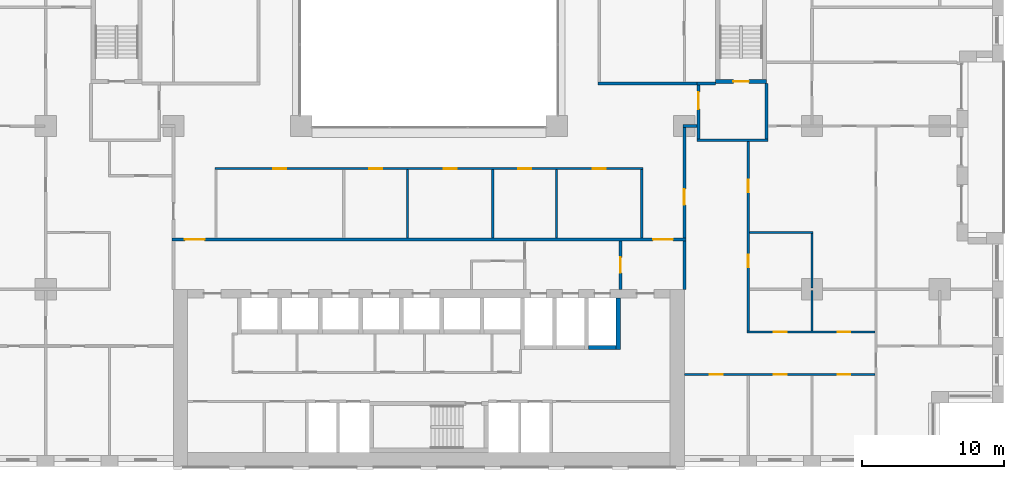
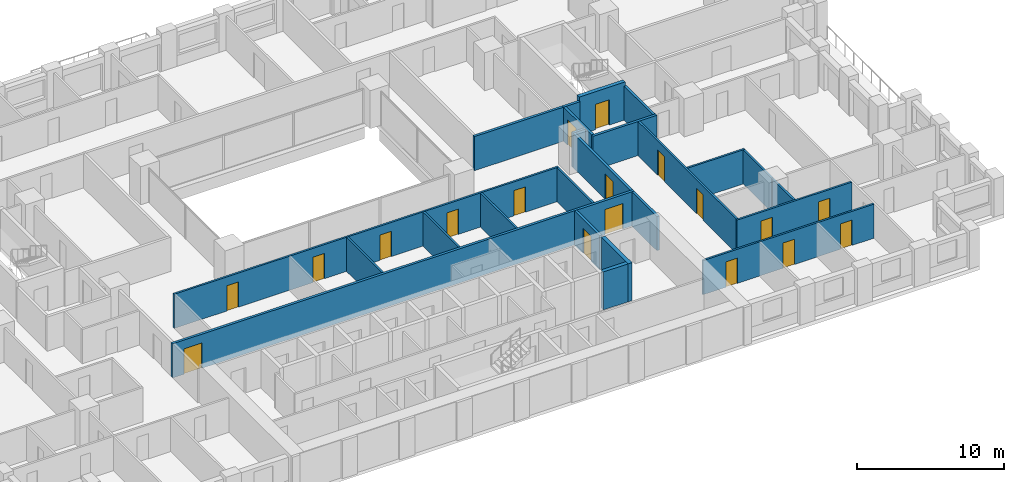
# One storey, part 12 of 21: 24 walls, 18 doors, 18 openings.
"""IFC4 building model written with IfcOpenShell, lengths in metres."""

from ifc_helpers import new_model, si_unit, direction, frame, frame_2d, origin, place, context, subcontext, project, spatial, rectangle, extrude, material, layer, layer_set, type_object, element, fill, save


model = new_model("IFC4")

# Units and contexts
model_context = context("Model", 3, precision=1e-05, world=origin(), true_north=direction((0.0, 1.0)))
body_context = subcontext(model_context, "Body", "Model", "MODEL_VIEW")
ifc_project = project(units=[si_unit("LENGTHUNIT", "METRE"), si_unit("AREAUNIT", "SQUARE_METRE"), si_unit("VOLUMEUNIT", "CUBIC_METRE"), si_unit("PLANEANGLEUNIT", "RADIAN"), si_unit("MASSUNIT", "GRAM", prefix="KILO")], contexts=[model_context])

# Site, building, storey
site_placement = place(None, origin())
site = spatial("IfcSite", under=ifc_project, at=site_placement, CompositionType="ELEMENT")
building_placement = place(site_placement, origin())
building = spatial("IfcBuilding", under=site, at=building_placement, Name="Brigalow Station Residences", CompositionType="ELEMENT")
storey_placement = place(building_placement, frame((0.0, 0.0, 51.0)))
storey = spatial("IfcBuildingStorey", under=building, at=storey_placement, Name="L14", CompositionType="ELEMENT", Elevation=51.0)

# Walls
ifc_material_1 = material(Name="Concrete C80", Category="concrete")
ifc_layer_1 = layer(ifc_material_1, 0.300048828125)
ifc_layer_set_1 = layer_set([ifc_layer_1], Name="CORE SHEAR WALL 300 C80")
wall_type_1 = type_object("IfcWallType", Name="CORE SHEAR WALL 300 C80", PredefinedType="SHEAR", material=ifc_layer_set_1)
wall_1_placement = place(storey_placement, frame((47.25, 8.39990234375, 0.0), z_axis=(0.0, 0.0, 1.0), x_axis=(1.0, 0.0, 0.0)))
element("IfcWall", 1, at=wall_1_placement, inside=storey, type_object=wall_type_1, Name="CORE WALL SH-SL1-S L14", PredefinedType="SHEAR", context=body_context, shape_type="SweptSolid", body=[
    extrude(rectangle(XDim=1.949951171875, YDim=0.300048828125, at=frame_2d((0.97509765625, 0.0))), origin(), (0.0, 0.0, 1.0), 3.14990234375),
])
wall_2_placement = place(storey_placement, frame((49.35009765625, 8.25, 0.0), z_axis=(0.0, 0.0, 1.0), x_axis=(0.0, 1.0, 0.0)))
element("IfcWall", 2, at=wall_2_placement, inside=storey, type_object=wall_type_1, Name="CORE WALL SH-SL1-E L14", PredefinedType="SHEAR", context=body_context, shape_type="SweptSolid", body=[
    extrude(rectangle(XDim=3.64990234375, YDim=0.300048828125, at=frame_2d((1.824951171875, 0.0))), origin(), (0.0, 0.0, 1.0), 3.14990234375),
])

# Wall, opening, door
wall_3_placement = place(storey_placement, frame((56.199951171875, 27.14990234375, 0.0), z_axis=(0.0, 0.0, 1.0), x_axis=(1.0, 0.0, 0.0)))
wall_3 = element("IfcWall", 3, at=wall_3_placement, inside=storey, type_object=wall_type_1, Name="CORE WALL ST-S3-S L14", PredefinedType="SHEAR", context=body_context, shape_type="SweptSolid", body=[
    extrude(rectangle(XDim=3.60009765625, YDim=0.300048828125, at=frame_2d((1.800048828125, 0.0))), origin(), (0.0, 0.0, 1.0), 3.14990234375),
])
opening_1_placement = place(wall_3_placement, frame((1.25, 0.0, 0.0)))
opening_1 = element("IfcOpeningElement", 4, at=opening_1_placement, cuts=wall_3, Name="Opening D-5018", PredefinedType="OPENING", context=body_context, shape_type="SweptSolid", body=[
    extrude(rectangle(XDim=1.10009765625, YDim=2.10009765625, at=frame_2d((0.550048828125, 1.050048828125))), frame((0.0, 0.16015625, 0.0), z_axis=(0.0, -1.0, 0.0), x_axis=(1.0, 0.0, 0.0)), (0.0, 0.0, 1.0), 0.320068359375),
])
ifc_material_2 = material(Name="Steel fire door leaf in steel frame", Category="steel")
door_type_1 = type_object("IfcDoorType", Name="STAIR DOOR 1100 x 2100 FD60S", OperationType="SINGLE_SWING_LEFT", PredefinedType="DOOR", material=ifc_material_2)
door_1_placement = place(opening_1_placement, origin())
door_1 = element("IfcDoor", 5, at=door_1_placement, inside=storey, type_object=door_type_1, Name="D-5018", OperationType="SINGLE_SWING_LEFT", OverallHeight=2.10009765625, OverallWidth=1.10009765625, PredefinedType="DOOR", context=body_context, shape_type="SweptSolid", body=[
    extrude(rectangle(XDim=1.10009765625, YDim=2.10009765625, at=frame_2d((0.550048828125, 1.050048828125))), frame((0.0, 0.02490234375, 0.0), z_axis=(0.0, -1.0, 0.0), x_axis=(1.0, 0.0, 0.0)), (0.0, 0.0, 1.0), 0.050048828125),
])
fill(opening_1, door_1)

# Walls
ifc_material_3 = material(Name="Concrete blockwork", Category="masonry")
ifc_layer_2 = layer(ifc_material_3, 0.199951171875)
ifc_layer_set_2 = layer_set([ifc_layer_2], Name="FIRE RATED CORE PARTITION 200")
wall_type_2 = type_object("IfcWallType", Name="FIRE RATED CORE PARTITION 200", PredefinedType="PARTITIONING", material=ifc_layer_set_2)
wall_4_placement = place(storey_placement, frame((54.89990234375, 23.0, 0.0), z_axis=(0.0, 0.0, 1.0), x_axis=(1.0, 0.0, 0.0)))
element("IfcWall", 6, at=wall_4_placement, inside=storey, type_object=wall_type_2, Name="PW-5024", PredefinedType="PARTITIONING", context=body_context, shape_type="SweptSolid", body=[
    extrude(rectangle(XDim=5.0, YDim=0.199951171875, at=frame_2d((2.5, 0.0))), origin(), (0.0, 0.0, 1.0), 2.830078125),
])
wall_5_placement = place(storey_placement, frame((54.89990234375, 27.0, 0.0), z_axis=(0.0, 0.0, 1.0), x_axis=(1.0, 0.0, 0.0)))
element("IfcWall", 7, at=wall_5_placement, inside=storey, type_object=wall_type_2, Name="PW-5026", PredefinedType="PARTITIONING", context=body_context, shape_type="SweptSolid", body=[
    extrude(rectangle(XDim=1.300048828125, YDim=0.199951171875, at=frame_2d((0.64990234375, 0.0))), origin(), (0.0, 0.0, 1.0), 2.830078125),
])

# Wall, opening, door
wall_6_placement = place(storey_placement, frame((49.5, 12.5, 0.0), z_axis=(0.0, 0.0, 1.0), x_axis=(0.0, 1.0, 0.0)))
wall_6 = element("IfcWall", 8, at=wall_6_placement, inside=storey, type_object=wall_type_2, Name="PW-5015", PredefinedType="PARTITIONING", context=body_context, shape_type="SweptSolid", body=[
    extrude(rectangle(XDim=3.39990234375, YDim=0.199951171875, at=frame_2d((1.699951171875, 0.0))), origin(), (0.0, 0.0, 1.0), 2.830078125),
])
opening_2_placement = place(wall_6_placement, frame((1.14990234375, 0.0, 0.0)))
opening_2 = element("IfcOpeningElement", 9, at=opening_2_placement, cuts=wall_6, Name="Opening D-5014", PredefinedType="OPENING", context=body_context, shape_type="SweptSolid", body=[
    extrude(rectangle(XDim=1.10009765625, YDim=2.10009765625, at=frame_2d((0.550048828125, 1.050048828125))), frame((0.0, 0.10986328125, 0.0), z_axis=(0.0, -1.0, 0.0), x_axis=(1.0, 0.0, 0.0)), (0.0, 0.0, 1.0), 0.219970703125),
])
ifc_material_4 = material(Name="Steel fire door leaf in steel frame", Category="steel")
door_type_2 = type_object("IfcDoorType", Name="LOBBY DOOR 1100 x 2100 FD60S", OperationType="SINGLE_SWING_LEFT", PredefinedType="DOOR", material=ifc_material_4)
door_2_placement = place(opening_2_placement, origin())
door_2 = element("IfcDoor", 10, at=door_2_placement, inside=storey, type_object=door_type_2, Name="D-5014", OperationType="SINGLE_SWING_LEFT", OverallHeight=2.10009765625, OverallWidth=1.10009765625, PredefinedType="DOOR", context=body_context, shape_type="SweptSolid", body=[
    extrude(rectangle(XDim=1.10009765625, YDim=2.10009765625, at=frame_2d((0.550048828125, 1.050048828125))), frame((0.0, 0.02490234375, 0.0), z_axis=(0.0, -1.0, 0.0), x_axis=(1.0, 0.0, 0.0)), (0.0, 0.0, 1.0), 0.050048828125),
])
fill(opening_2, door_2)

# Wall
wall_7_placement = place(storey_placement, frame((54.0, 12.5, 0.0), z_axis=(0.0, 0.0, 1.0), x_axis=(0.0, 1.0, 0.0)))
element("IfcWall", 11, at=wall_7_placement, inside=storey, type_object=wall_type_2, Name="PW-5016", PredefinedType="PARTITIONING", context=body_context, shape_type="SweptSolid", body=[
    extrude(rectangle(XDim=3.39990234375, YDim=0.199951171875, at=frame_2d((1.699951171875, 0.0))), origin(), (0.0, 0.0, 1.0), 2.830078125),
])

# Wall, opening, door
wall_8_placement = place(storey_placement, frame((55.0, 23.10009765625, 0.0), z_axis=(0.0, 0.0, 1.0), x_axis=(0.0, 1.0, 0.0)))
wall_8 = element("IfcWall", 12, at=wall_8_placement, inside=storey, type_object=wall_type_2, Name="PW-5036", PredefinedType="PARTITIONING", context=body_context, shape_type="SweptSolid", body=[
    extrude(rectangle(XDim=3.7998046875, YDim=0.199951171875, at=frame_2d((1.89990234375, 0.0))), origin(), (0.0, 0.0, 1.0), 2.830078125),
])
opening_3_placement = place(wall_8_placement, frame((2.10009765625, 0.0, 0.0)))
opening_3 = element("IfcOpeningElement", 13, at=opening_3_placement, cuts=wall_8, Name="Opening D-5019", PredefinedType="OPENING", context=body_context, shape_type="SweptSolid", body=[
    extrude(rectangle(XDim=1.199951171875, YDim=2.10009765625, at=frame_2d((0.60009765625, 1.050048828125))), frame((0.0, 0.10986328125, 0.0), z_axis=(0.0, -1.0, 0.0), x_axis=(1.0, 0.0, 0.0)), (0.0, 0.0, 1.0), 0.219970703125),
])
ifc_material_5 = material(Name="Steel fire door leaf in steel frame", Category="steel")
door_type_3 = type_object("IfcDoorType", Name="STAIR LOBBY DOOR 1200 x 2100 FD60S", OperationType="SINGLE_SWING_LEFT", PredefinedType="DOOR", material=ifc_material_5)
door_3_placement = place(opening_3_placement, frame((1.199951171875, 0.0, 0.0), z_axis=(0.0, 0.0, 1.0), x_axis=(-1.0, 0.0, 0.0)))
door_3 = element("IfcDoor", 14, at=door_3_placement, inside=storey, type_object=door_type_3, Name="D-5019", OperationType="SINGLE_SWING_LEFT", OverallHeight=2.10009765625, OverallWidth=1.199951171875, PredefinedType="DOOR", context=body_context, shape_type="SweptSolid", body=[
    extrude(rectangle(XDim=1.199951171875, YDim=2.10009765625, at=frame_2d((0.60009765625, 1.050048828125))), frame((0.0, 0.02490234375, 0.0), z_axis=(0.0, -1.0, 0.0), x_axis=(1.0, 0.0, 0.0)), (0.0, 0.0, 1.0), 0.050048828125),
])
fill(opening_3, door_3)

# Wall
wall_9_placement = place(storey_placement, frame((59.800048828125, 23.10009765625, 0.0), z_axis=(0.0, 0.0, 1.0), x_axis=(0.0, 1.0, 0.0)))
element("IfcWall", 15, at=wall_9_placement, inside=storey, type_object=wall_type_2, Name="PW-5037", PredefinedType="PARTITIONING", context=body_context, shape_type="SweptSolid", body=[
    extrude(rectangle(XDim=3.89990234375, YDim=0.199951171875, at=frame_2d((1.949951171875, 0.0))), origin(), (0.0, 0.0, 1.0), 2.830078125),
])

# Wall, openings, doors
ifc_material_6 = material(Name="Plasterboard on steel stud partition", Category="steel")
ifc_layer_3 = layer(ifc_material_6, 0.14990234375)
ifc_layer_set_3 = layer_set([ifc_layer_3], Name="FLAT PARTITION 150")
wall_type_3 = type_object("IfcWallType", Name="FLAT PARTITION 150", PredefinedType="PARTITIONING", material=ifc_layer_set_3)
wall_10_placement = place(storey_placement, frame((20.925048828125, 21.0, 0.0), z_axis=(0.0, 0.0, 1.0), x_axis=(1.0, 0.0, 0.0)))
wall_10 = element("IfcWall", 16, at=wall_10_placement, inside=storey, type_object=wall_type_3, Name="PW-1D01", PredefinedType="PARTITIONING", context=body_context, shape_type="SweptSolid", body=[
    extrude(rectangle(XDim=30.14990234375, YDim=0.14990234375, at=frame_2d((15.074951171875, 0.0))), origin(), (0.0, 0.0, 1.0), 2.830078125),
])
opening_4_placement = place(wall_10_placement, frame((4.125, 0.0, 0.0)))
opening_4 = element("IfcOpeningElement", 17, at=opening_4_placement, cuts=wall_10, Name="Opening D-1D67", PredefinedType="OPENING", context=body_context, shape_type="SweptSolid", body=[
    extrude(rectangle(XDim=0.89990234375, YDim=2.10009765625, at=frame_2d((0.449951171875, 1.050048828125))), frame((0.0, 0.0849609375, 0.0), z_axis=(0.0, -1.0, 0.0), x_axis=(1.0, 0.0, 0.0)), (0.0, 0.0, 1.0), 0.169921875),
])
opening_5_placement = place(wall_10_placement, frame((10.875, 0.0, 0.0)))
opening_5 = element("IfcOpeningElement", 18, at=opening_5_placement, cuts=wall_10, Name="Opening D-1D68", PredefinedType="OPENING", context=body_context, shape_type="SweptSolid", body=[
    extrude(rectangle(XDim=0.89990234375, YDim=2.10009765625, at=frame_2d((0.449951171875, 1.050048828125))), frame((0.0, 0.0849609375, 0.0), z_axis=(0.0, -1.0, 0.0), x_axis=(1.0, 0.0, 0.0)), (0.0, 0.0, 1.0), 0.169921875),
])
opening_6_placement = place(wall_10_placement, frame((16.125, 0.0, 0.0)))
opening_6 = element("IfcOpeningElement", 19, at=opening_6_placement, cuts=wall_10, Name="Opening D-1D69", PredefinedType="OPENING", context=body_context, shape_type="SweptSolid", body=[
    extrude(rectangle(XDim=0.89990234375, YDim=2.10009765625, at=frame_2d((0.449951171875, 1.050048828125))), frame((0.0, 0.0849609375, 0.0), z_axis=(0.0, -1.0, 0.0), x_axis=(1.0, 0.0, 0.0)), (0.0, 0.0, 1.0), 0.169921875),
])
opening_7_placement = place(wall_10_placement, frame((21.375, 0.0, 0.0)))
opening_7 = element("IfcOpeningElement", 20, at=opening_7_placement, cuts=wall_10, Name="Opening D-1D70", PredefinedType="OPENING", context=body_context, shape_type="SweptSolid", body=[
    extrude(rectangle(XDim=0.89990234375, YDim=2.10009765625, at=frame_2d((0.449951171875, 1.050048828125))), frame((0.0, 0.0849609375, 0.0), z_axis=(0.0, -1.0, 0.0), x_axis=(1.0, 0.0, 0.0)), (0.0, 0.0, 1.0), 0.169921875),
])
opening_8_placement = place(wall_10_placement, frame((26.625, 0.0, 0.0)))
opening_8 = element("IfcOpeningElement", 21, at=opening_8_placement, cuts=wall_10, Name="Opening D-1D71", PredefinedType="OPENING", context=body_context, shape_type="SweptSolid", body=[
    extrude(rectangle(XDim=0.89990234375, YDim=2.10009765625, at=frame_2d((0.449951171875, 1.050048828125))), frame((0.0, 0.0849609375, 0.0), z_axis=(0.0, -1.0, 0.0), x_axis=(1.0, 0.0, 0.0)), (0.0, 0.0, 1.0), 0.169921875),
])
ifc_material_7 = material(Name="Solid-core timber door leaf", Category="wood")
door_type_4 = type_object("IfcDoorType", Name="INTERNAL DOOR 900 x 2100", OperationType="SINGLE_SWING_LEFT", PredefinedType="DOOR", material=ifc_material_7)
door_4_placement = place(opening_4_placement, frame((0.89990234375, 0.0, 0.0), z_axis=(0.0, 0.0, 1.0), x_axis=(-1.0, 0.0, 0.0)))
door_4 = element("IfcDoor", 22, at=door_4_placement, inside=storey, type_object=door_type_4, Name="D-1D67", OperationType="SINGLE_SWING_LEFT", OverallHeight=2.10009765625, OverallWidth=0.89990234375, PredefinedType="DOOR", context=body_context, shape_type="SweptSolid", body=[
    extrude(rectangle(XDim=0.89990234375, YDim=2.10009765625, at=frame_2d((0.449951171875, 1.050048828125))), frame((0.0, 0.02490234375, 0.0), z_axis=(0.0, -1.0, 0.0), x_axis=(1.0, 0.0, 0.0)), (0.0, 0.0, 1.0), 0.050048828125),
])
fill(opening_4, door_4)
door_5_placement = place(opening_5_placement, frame((0.89990234375, 0.0, 0.0), z_axis=(0.0, 0.0, 1.0), x_axis=(-1.0, 0.0, 0.0)))
door_5 = element("IfcDoor", 23, at=door_5_placement, inside=storey, type_object=door_type_4, Name="D-1D68", OperationType="SINGLE_SWING_LEFT", OverallHeight=2.10009765625, OverallWidth=0.89990234375, PredefinedType="DOOR", context=body_context, shape_type="SweptSolid", body=[
    extrude(rectangle(XDim=0.89990234375, YDim=2.10009765625, at=frame_2d((0.449951171875, 1.050048828125))), frame((0.0, 0.02490234375, 0.0), z_axis=(0.0, -1.0, 0.0), x_axis=(1.0, 0.0, 0.0)), (0.0, 0.0, 1.0), 0.050048828125),
])
fill(opening_5, door_5)
door_6_placement = place(opening_6_placement, frame((0.89990234375, 0.0, 0.0), z_axis=(0.0, 0.0, 1.0), x_axis=(-1.0, 0.0, 0.0)))
door_6 = element("IfcDoor", 24, at=door_6_placement, inside=storey, type_object=door_type_4, Name="D-1D69", OperationType="SINGLE_SWING_RIGHT", OverallHeight=2.10009765625, OverallWidth=0.89990234375, PredefinedType="DOOR", context=body_context, shape_type="SweptSolid", body=[
    extrude(rectangle(XDim=0.89990234375, YDim=2.10009765625, at=frame_2d((0.449951171875, 1.050048828125))), frame((0.0, 0.02490234375, 0.0), z_axis=(0.0, -1.0, 0.0), x_axis=(1.0, 0.0, 0.0)), (0.0, 0.0, 1.0), 0.050048828125),
])
fill(opening_6, door_6)
door_7_placement = place(opening_7_placement, frame((0.89990234375, 0.0, 0.0), z_axis=(0.0, 0.0, 1.0), x_axis=(-1.0, 0.0, 0.0)))
door_7 = element("IfcDoor", 25, at=door_7_placement, inside=storey, type_object=door_type_4, Name="D-1D70", OperationType="SINGLE_SWING_LEFT", OverallHeight=2.10009765625, OverallWidth=0.89990234375, PredefinedType="DOOR", context=body_context, shape_type="SweptSolid", body=[
    extrude(rectangle(XDim=0.89990234375, YDim=2.10009765625, at=frame_2d((0.449951171875, 1.050048828125))), frame((0.0, 0.02490234375, 0.0), z_axis=(0.0, -1.0, 0.0), x_axis=(1.0, 0.0, 0.0)), (0.0, 0.0, 1.0), 0.050048828125),
])
fill(opening_7, door_7)
door_8_placement = place(opening_8_placement, frame((0.89990234375, 0.0, 0.0), z_axis=(0.0, 0.0, 1.0), x_axis=(-1.0, 0.0, 0.0)))
door_8 = element("IfcDoor", 26, at=door_8_placement, inside=storey, type_object=door_type_4, Name="D-1D71", OperationType="SINGLE_SWING_LEFT", OverallHeight=2.10009765625, OverallWidth=0.89990234375, PredefinedType="DOOR", context=body_context, shape_type="SweptSolid", body=[
    extrude(rectangle(XDim=0.89990234375, YDim=2.10009765625, at=frame_2d((0.449951171875, 1.050048828125))), frame((0.0, 0.02490234375, 0.0), z_axis=(0.0, -1.0, 0.0), x_axis=(1.0, 0.0, 0.0)), (0.0, 0.0, 1.0), 0.050048828125),
])
fill(opening_8, door_8)

# Wall
wall_11_placement = place(storey_placement, frame((58.574951171875, 16.5, 0.0), z_axis=(0.0, 0.0, 1.0), x_axis=(1.0, 0.0, 0.0)))
element("IfcWall", 27, at=wall_11_placement, inside=storey, type_object=wall_type_3, Name="PW-1D17", PredefinedType="PARTITIONING", context=body_context, shape_type="SweptSolid", body=[
    extrude(rectangle(XDim=4.5, YDim=0.14990234375, at=frame_2d((2.25, 0.0))), origin(), (0.0, 0.0, 1.0), 2.830078125),
])

# Wall, openings, doors
wall_12_placement = place(storey_placement, frame((54.0, 6.5, 0.0), z_axis=(0.0, 0.0, 1.0), x_axis=(1.0, 0.0, 0.0)))
wall_12 = element("IfcWall", 28, at=wall_12_placement, inside=storey, type_object=wall_type_3, Name="PW-1D33", PredefinedType="PARTITIONING", context=body_context, shape_type="SweptSolid", body=[
    extrude(rectangle(XDim=13.425048828125, YDim=0.14990234375, at=frame_2d((6.71240234375, 0.0))), origin(), (0.0, 0.0, 1.0), 2.830078125),
])
opening_9_placement = place(wall_12_placement, frame((1.800048828125, 0.0, 0.0)))
opening_9 = element("IfcOpeningElement", 29, at=opening_9_placement, cuts=wall_12, Name="Opening D-1D50", PredefinedType="OPENING", context=body_context, shape_type="SweptSolid", body=[
    extrude(rectangle(XDim=0.89990234375, YDim=2.10009765625, at=frame_2d((0.449951171875, 1.050048828125))), frame((0.0, 0.0849609375, 0.0), z_axis=(0.0, -1.0, 0.0), x_axis=(1.0, 0.0, 0.0)), (0.0, 0.0, 1.0), 0.169921875),
])
opening_10_placement = place(wall_12_placement, frame((6.300048828125, 0.0, 0.0)))
opening_10 = element("IfcOpeningElement", 30, at=opening_10_placement, cuts=wall_12, Name="Opening D-1D51", PredefinedType="OPENING", context=body_context, shape_type="SweptSolid", body=[
    extrude(rectangle(XDim=0.89990234375, YDim=2.10009765625, at=frame_2d((0.449951171875, 1.050048828125))), frame((0.0, 0.0849609375, 0.0), z_axis=(0.0, -1.0, 0.0), x_axis=(1.0, 0.0, 0.0)), (0.0, 0.0, 1.0), 0.169921875),
])
opening_11_placement = place(wall_12_placement, frame((10.800048828125, 0.0, 0.0)))
opening_11 = element("IfcOpeningElement", 31, at=opening_11_placement, cuts=wall_12, Name="Opening D-1D52", PredefinedType="OPENING", context=body_context, shape_type="SweptSolid", body=[
    extrude(rectangle(XDim=0.89990234375, YDim=2.10009765625, at=frame_2d((0.449951171875, 1.050048828125))), frame((0.0, 0.0849609375, 0.0), z_axis=(0.0, -1.0, 0.0), x_axis=(1.0, 0.0, 0.0)), (0.0, 0.0, 1.0), 0.169921875),
])
door_9_placement = place(opening_9_placement, frame((0.89990234375, 0.0, 0.0), z_axis=(0.0, 0.0, 1.0), x_axis=(-1.0, 0.0, 0.0)))
door_9 = element("IfcDoor", 32, at=door_9_placement, inside=storey, type_object=door_type_4, Name="D-1D50", OperationType="SINGLE_SWING_LEFT", OverallHeight=2.10009765625, OverallWidth=0.89990234375, PredefinedType="DOOR", context=body_context, shape_type="SweptSolid", body=[
    extrude(rectangle(XDim=0.89990234375, YDim=2.10009765625, at=frame_2d((0.449951171875, 1.050048828125))), frame((0.0, 0.02490234375, 0.0), z_axis=(0.0, -1.0, 0.0), x_axis=(1.0, 0.0, 0.0)), (0.0, 0.0, 1.0), 0.050048828125),
])
fill(opening_9, door_9)
door_10_placement = place(opening_10_placement, frame((0.89990234375, 0.0, 0.0), z_axis=(0.0, 0.0, 1.0), x_axis=(-1.0, 0.0, 0.0)))
door_10 = element("IfcDoor", 33, at=door_10_placement, inside=storey, type_object=door_type_4, Name="D-1D51", OperationType="SINGLE_SWING_LEFT", OverallHeight=2.10009765625, OverallWidth=0.89990234375, PredefinedType="DOOR", context=body_context, shape_type="SweptSolid", body=[
    extrude(rectangle(XDim=0.89990234375, YDim=2.10009765625, at=frame_2d((0.449951171875, 1.050048828125))), frame((0.0, 0.02490234375, 0.0), z_axis=(0.0, -1.0, 0.0), x_axis=(1.0, 0.0, 0.0)), (0.0, 0.0, 1.0), 0.050048828125),
])
fill(opening_10, door_10)
door_11_placement = place(opening_11_placement, frame((0.89990234375, 0.0, 0.0), z_axis=(0.0, 0.0, 1.0), x_axis=(-1.0, 0.0, 0.0)))
door_11 = element("IfcDoor", 34, at=door_11_placement, inside=storey, type_object=door_type_4, Name="D-1D52", OperationType="SINGLE_SWING_LEFT", OverallHeight=2.10009765625, OverallWidth=0.89990234375, PredefinedType="DOOR", context=body_context, shape_type="SweptSolid", body=[
    extrude(rectangle(XDim=0.89990234375, YDim=2.10009765625, at=frame_2d((0.449951171875, 1.050048828125))), frame((0.0, 0.02490234375, 0.0), z_axis=(0.0, -1.0, 0.0), x_axis=(1.0, 0.0, 0.0)), (0.0, 0.0, 1.0), 0.050048828125),
])
fill(opening_11, door_11)

wall_13_placement = place(storey_placement, frame((58.425048828125, 9.5, 0.0), z_axis=(0.0, 0.0, 1.0), x_axis=(1.0, 0.0, 0.0)))
wall_13 = element("IfcWall", 35, at=wall_13_placement, inside=storey, type_object=wall_type_3, Name="PW-1D34", PredefinedType="PARTITIONING", context=body_context, shape_type="SweptSolid", body=[
    extrude(rectangle(XDim=9.0, YDim=0.14990234375, at=frame_2d((4.5, 0.0))), origin(), (0.0, 0.0, 1.0), 2.830078125),
])
opening_12_placement = place(wall_13_placement, frame((6.375, 0.0, 0.0)))
opening_12 = element("IfcOpeningElement", 36, at=opening_12_placement, cuts=wall_13, Name="Opening D-1D60", PredefinedType="OPENING", context=body_context, shape_type="SweptSolid", body=[
    extrude(rectangle(XDim=0.89990234375, YDim=2.10009765625, at=frame_2d((0.449951171875, 1.050048828125))), frame((0.0, 0.0849609375, 0.0), z_axis=(0.0, -1.0, 0.0), x_axis=(1.0, 0.0, 0.0)), (0.0, 0.0, 1.0), 0.169921875),
])
opening_13_placement = place(wall_13_placement, frame((1.875, 0.0, 0.0)))
opening_13 = element("IfcOpeningElement", 37, at=opening_13_placement, cuts=wall_13, Name="Opening D-1D62", PredefinedType="OPENING", context=body_context, shape_type="SweptSolid", body=[
    extrude(rectangle(XDim=0.89990234375, YDim=2.10009765625, at=frame_2d((0.449951171875, 1.050048828125))), frame((0.0, 0.0849609375, 0.0), z_axis=(0.0, -1.0, 0.0), x_axis=(1.0, 0.0, 0.0)), (0.0, 0.0, 1.0), 0.169921875),
])
door_12_placement = place(opening_12_placement, origin())
door_12 = element("IfcDoor", 38, at=door_12_placement, inside=storey, type_object=door_type_4, Name="D-1D60", OperationType="SINGLE_SWING_RIGHT", OverallHeight=2.10009765625, OverallWidth=0.89990234375, PredefinedType="DOOR", context=body_context, shape_type="SweptSolid", body=[
    extrude(rectangle(XDim=0.89990234375, YDim=2.10009765625, at=frame_2d((0.449951171875, 1.050048828125))), frame((0.0, 0.02490234375, 0.0), z_axis=(0.0, -1.0, 0.0), x_axis=(1.0, 0.0, 0.0)), (0.0, 0.0, 1.0), 0.050048828125),
])
fill(opening_12, door_12)
door_13_placement = place(opening_13_placement, origin())
door_13 = element("IfcDoor", 39, at=door_13_placement, inside=storey, type_object=door_type_4, Name="D-1D62", OperationType="SINGLE_SWING_RIGHT", OverallHeight=2.10009765625, OverallWidth=0.89990234375, PredefinedType="DOOR", context=body_context, shape_type="SweptSolid", body=[
    extrude(rectangle(XDim=0.89990234375, YDim=2.10009765625, at=frame_2d((0.449951171875, 1.050048828125))), frame((0.0, 0.02490234375, 0.0), z_axis=(0.0, -1.0, 0.0), x_axis=(1.0, 0.0, 0.0)), (0.0, 0.0, 1.0), 0.050048828125),
])
fill(opening_13, door_13)

# Walls
for number, where, z_axis, x_axis, name in (
    (40, (51.0, 16.10009765625, 0.0), (0.0, 0.0, 1.0), (0.0, 1.0, 0.0), "PW-1D43"),
    (41, (40.5, 16.10009765625, 0.0), (0.0, 0.0, 1.0), (0.0, 1.0, 0.0), "PW-1D63"),
    (42, (45.0, 16.10009765625, 0.0), (0.0, 0.0, 1.0), (0.0, 1.0, 0.0), "PW-1D65"),
):
    element("IfcWall", number, at=place(storey_placement, frame(where, z_axis=z_axis, x_axis=x_axis)), inside=storey, type_object=wall_type_3, Name=name, PredefinedType="PARTITIONING", context=body_context, shape_type="SweptSolid", body=[
        extrude(rectangle(XDim=4.824951171875, YDim=0.14990234375, at=frame_2d((2.41259765625, 0.0))), origin(), (0.0, 0.0, 1.0), 2.830078125),
    ])
wall_14_placement = place(storey_placement, frame((63.0, 9.574951171875, 0.0), z_axis=(0.0, 0.0, 1.0), x_axis=(0.0, 1.0, 0.0)))
element("IfcWall", 43, at=wall_14_placement, inside=storey, type_object=wall_type_3, Name="PW-1D68", PredefinedType="PARTITIONING", context=body_context, shape_type="SweptSolid", body=[
    extrude(rectangle(XDim=2.85009765625, YDim=0.14990234375, at=frame_2d((1.425048828125, 0.0))), origin(), (0.0, 0.0, 1.0), 2.830078125),
])
wall_15_placement = place(storey_placement, frame((63.0, 12.574951171875, 0.0), z_axis=(0.0, 0.0, 1.0), x_axis=(0.0, 1.0, 0.0)))
element("IfcWall", 44, at=wall_15_placement, inside=storey, type_object=wall_type_3, Name="PW-1D69", PredefinedType="PARTITIONING", context=body_context, shape_type="SweptSolid", body=[
    extrude(rectangle(XDim=3.85009765625, YDim=0.14990234375, at=frame_2d((1.925048828125, 0.0))), origin(), (0.0, 0.0, 1.0), 2.830078125),
])

# Wall, openings, doors
wall_16_placement = place(storey_placement, frame((58.5, 9.574951171875, 0.0), z_axis=(0.0, 0.0, 1.0), x_axis=(0.0, 1.0, 0.0)))
wall_16 = element("IfcWall", 45, at=wall_16_placement, inside=storey, type_object=wall_type_3, Name="PW-1D83", PredefinedType="PARTITIONING", context=body_context, shape_type="SweptSolid", body=[
    extrude(rectangle(XDim=13.324951171875, YDim=0.14990234375, at=frame_2d((6.66259765625, 0.0))), origin(), (0.0, 0.0, 1.0), 2.830078125),
])
opening_14_placement = place(wall_16_placement, frame((4.47509765625, 0.0, 0.0)))
opening_14 = element("IfcOpeningElement", 46, at=opening_14_placement, cuts=wall_16, Name="Opening D-1D49", PredefinedType="OPENING", context=body_context, shape_type="SweptSolid", body=[
    extrude(rectangle(XDim=0.89990234375, YDim=2.10009765625, at=frame_2d((0.449951171875, 1.050048828125))), frame((0.0, 0.0849609375, 0.0), z_axis=(0.0, -1.0, 0.0), x_axis=(1.0, 0.0, 0.0)), (0.0, 0.0, 1.0), 0.169921875),
])
opening_15_placement = place(wall_16_placement, frame((9.75, 0.0, 0.0)))
opening_15 = element("IfcOpeningElement", 47, at=opening_15_placement, cuts=wall_16, Name="Opening D-1D59", PredefinedType="OPENING", context=body_context, shape_type="SweptSolid", body=[
    extrude(rectangle(XDim=0.89990234375, YDim=2.10009765625, at=frame_2d((0.449951171875, 1.050048828125))), frame((0.0, 0.0849609375, 0.0), z_axis=(0.0, -1.0, 0.0), x_axis=(1.0, 0.0, 0.0)), (0.0, 0.0, 1.0), 0.169921875),
])
door_14_placement = place(opening_14_placement, frame((0.89990234375, 0.0, 0.0), z_axis=(0.0, 0.0, 1.0), x_axis=(-1.0, 0.0, 0.0)))
door_14 = element("IfcDoor", 48, at=door_14_placement, inside=storey, type_object=door_type_4, Name="D-1D49", OperationType="SINGLE_SWING_LEFT", OverallHeight=2.10009765625, OverallWidth=0.89990234375, PredefinedType="DOOR", context=body_context, shape_type="SweptSolid", body=[
    extrude(rectangle(XDim=0.89990234375, YDim=2.10009765625, at=frame_2d((0.449951171875, 1.050048828125))), frame((0.0, 0.02490234375, 0.0), z_axis=(0.0, -1.0, 0.0), x_axis=(1.0, 0.0, 0.0)), (0.0, 0.0, 1.0), 0.050048828125),
])
fill(opening_14, door_14)
door_15_placement = place(opening_15_placement, frame((0.89990234375, 0.0, 0.0), z_axis=(0.0, 0.0, 1.0), x_axis=(-1.0, 0.0, 0.0)))
door_15 = element("IfcDoor", 49, at=door_15_placement, inside=storey, type_object=door_type_4, Name="D-1D59", OperationType="SINGLE_SWING_LEFT", OverallHeight=2.10009765625, OverallWidth=0.89990234375, PredefinedType="DOOR", context=body_context, shape_type="SweptSolid", body=[
    extrude(rectangle(XDim=0.89990234375, YDim=2.10009765625, at=frame_2d((0.449951171875, 1.050048828125))), frame((0.0, 0.02490234375, 0.0), z_axis=(0.0, -1.0, 0.0), x_axis=(1.0, 0.0, 0.0)), (0.0, 0.0, 1.0), 0.050048828125),
])
fill(opening_15, door_15)

# Walls
wall_17_placement = place(storey_placement, frame((34.5, 16.10009765625, 0.0), z_axis=(0.0, 0.0, 1.0), x_axis=(0.0, 1.0, 0.0)))
element("IfcWall", 50, at=wall_17_placement, inside=storey, type_object=wall_type_3, Name="PW-1D85", PredefinedType="PARTITIONING", context=body_context, shape_type="SweptSolid", body=[
    extrude(rectangle(XDim=4.824951171875, YDim=0.14990234375, at=frame_2d((2.41259765625, 0.0))), origin(), (0.0, 0.0, 1.0), 2.830078125),
])
ifc_material_8 = material(Name="Plasterboard on steel stud partition", Category="steel")
ifc_layer_4 = layer(ifc_material_8, 0.199951171875)
ifc_layer_set_4 = layer_set([ifc_layer_4], Name="PARTY AND CORRIDOR WALL 200")
wall_type_4 = type_object("IfcWallType", Name="PARTY AND CORRIDOR WALL 200", PredefinedType="PARTITIONING", material=ifc_layer_set_4)
wall_18_placement = place(storey_placement, frame((53.89990234375, 24.0, 0.0), z_axis=(0.0, 0.0, 1.0), x_axis=(1.0, 0.0, 0.0)))
element("IfcWall", 51, at=wall_18_placement, inside=storey, type_object=wall_type_4, Name="PW-1D05", PredefinedType="PARTITIONING", context=body_context, shape_type="SweptSolid", body=[
    extrude(rectangle(XDim=1.0, YDim=0.199951171875, at=frame_2d((0.5, 0.0))), origin(), (0.0, 0.0, 1.0), 2.830078125),
])
wall_19_placement = place(storey_placement, frame((47.89990234375, 27.0, 0.0), z_axis=(0.0, 0.0, 1.0), x_axis=(1.0, 0.0, 0.0)))
element("IfcWall", 52, at=wall_19_placement, inside=storey, type_object=wall_type_4, Name="PW-1D07", PredefinedType="PARTITIONING", context=body_context, shape_type="SweptSolid", body=[
    extrude(rectangle(XDim=7.0, YDim=0.199951171875, at=frame_2d((3.5, 0.0))), origin(), (0.0, 0.0, 1.0), 2.830078125),
])

# Wall, openings, doors
wall_20_placement = place(storey_placement, frame((17.89990234375, 16.0, 0.0), z_axis=(0.0, 0.0, 1.0), x_axis=(1.0, 0.0, 0.0)))
wall_20 = element("IfcWall", 53, at=wall_20_placement, inside=storey, type_object=wall_type_4, Name="PW-1D35", PredefinedType="PARTITIONING", context=body_context, shape_type="SweptSolid", body=[
    extrude(rectangle(XDim=36.2001953125, YDim=0.199951171875, at=frame_2d((18.10009765625, 0.0))), origin(), (0.0, 0.0, 1.0), 2.830078125),
])
opening_16_placement = place(wall_20_placement, frame((0.89990234375, 0.0, 0.0)))
opening_16 = element("IfcOpeningElement", 54, at=opening_16_placement, cuts=wall_20, Name="Opening D-1D01", PredefinedType="OPENING", context=body_context, shape_type="SweptSolid", body=[
    extrude(rectangle(XDim=1.39990234375, YDim=2.10009765625, at=frame_2d((0.699951171875, 1.050048828125))), frame((0.0, 0.10986328125, 0.0), z_axis=(0.0, -1.0, 0.0), x_axis=(1.0, 0.0, 0.0)), (0.0, 0.0, 1.0), 0.219970703125),
])
opening_17_placement = place(wall_20_placement, frame((33.89990234375, 0.0, 0.0)))
opening_17 = element("IfcOpeningElement", 55, at=opening_17_placement, cuts=wall_20, Name="Opening D-1D02", PredefinedType="OPENING", context=body_context, shape_type="SweptSolid", body=[
    extrude(rectangle(XDim=1.39990234375, YDim=2.10009765625, at=frame_2d((0.699951171875, 1.050048828125))), frame((0.0, 0.10986328125, 0.0), z_axis=(0.0, -1.0, 0.0), x_axis=(1.0, 0.0, 0.0)), (0.0, 0.0, 1.0), 0.219970703125),
])
ifc_material_9 = material(Name="Solid-core timber door leaf", Category="wood")
door_type_5 = type_object("IfcDoorType", Name="CORRIDOR FIRE DOOR 1400 x 2100 FRL -/60/30", OperationType="DOUBLE_DOOR_SINGLE_SWING", PredefinedType="DOOR", material=ifc_material_9)
door_16_placement = place(opening_16_placement, frame((1.39990234375, 0.0, 0.0), z_axis=(0.0, 0.0, 1.0), x_axis=(-1.0, 0.0, 0.0)))
door_16 = element("IfcDoor", 56, at=door_16_placement, inside=storey, type_object=door_type_5, Name="D-1D01", OperationType="DOUBLE_DOOR_SINGLE_SWING", OverallHeight=2.10009765625, OverallWidth=1.39990234375, PredefinedType="DOOR", context=body_context, shape_type="SweptSolid", body=[
    extrude(rectangle(XDim=1.39990234375, YDim=2.10009765625, at=frame_2d((0.699951171875, 1.050048828125))), frame((0.0, 0.02490234375, 0.0), z_axis=(0.0, -1.0, 0.0), x_axis=(1.0, 0.0, 0.0)), (0.0, 0.0, 1.0), 0.050048828125),
])
fill(opening_16, door_16)
door_17_placement = place(opening_17_placement, frame((1.39990234375, 0.0, 0.0), z_axis=(0.0, 0.0, 1.0), x_axis=(-1.0, 0.0, 0.0)))
door_17 = element("IfcDoor", 57, at=door_17_placement, inside=storey, type_object=door_type_5, Name="D-1D02", OperationType="DOUBLE_DOOR_SINGLE_SWING", OverallHeight=2.10009765625, OverallWidth=1.39990234375, PredefinedType="DOOR", context=body_context, shape_type="SweptSolid", body=[
    extrude(rectangle(XDim=1.39990234375, YDim=2.10009765625, at=frame_2d((0.699951171875, 1.050048828125))), frame((0.0, 0.02490234375, 0.0), z_axis=(0.0, -1.0, 0.0), x_axis=(1.0, 0.0, 0.0)), (0.0, 0.0, 1.0), 0.050048828125),
])
fill(opening_17, door_17)

# Wall, opening, door
wall_21_placement = place(storey_placement, frame((54.0, 16.10009765625, 0.0), z_axis=(0.0, 0.0, 1.0), x_axis=(0.0, 1.0, 0.0)))
wall_21 = element("IfcWall", 58, at=wall_21_placement, inside=storey, type_object=wall_type_4, Name="PW-1D41", PredefinedType="PARTITIONING", context=body_context, shape_type="SweptSolid", body=[
    extrude(rectangle(XDim=7.7998046875, YDim=0.199951171875, at=frame_2d((3.89990234375, 0.0))), origin(), (0.0, 0.0, 1.0), 2.830078125),
])
opening_18_placement = place(wall_21_placement, frame((2.35009765625, 0.0, 0.0)))
opening_18 = element("IfcOpeningElement", 59, at=opening_18_placement, cuts=wall_21, Name="Opening D-1D66", PredefinedType="OPENING", context=body_context, shape_type="SweptSolid", body=[
    extrude(rectangle(XDim=1.10009765625, YDim=2.10009765625, at=frame_2d((0.550048828125, 1.050048828125))), frame((0.0, 0.10986328125, 0.0), z_axis=(0.0, -1.0, 0.0), x_axis=(1.0, 0.0, 0.0)), (0.0, 0.0, 1.0), 0.219970703125),
])
ifc_material_10 = material(Name="Solid-core timber door leaf", Category="wood")
door_type_6 = type_object("IfcDoorType", Name="FLAT ENTRANCE DOOR 1100 x 2100 FRL -/60/30", OperationType="SINGLE_SWING_LEFT", PredefinedType="DOOR", material=ifc_material_10)
door_18_placement = place(opening_18_placement, frame((1.10009765625, 0.0, 0.0), z_axis=(0.0, 0.0, 1.0), x_axis=(-1.0, 0.0, 0.0)))
door_18 = element("IfcDoor", 60, at=door_18_placement, inside=storey, type_object=door_type_6, Name="D-1D66", OperationType="SINGLE_SWING_LEFT", OverallHeight=2.10009765625, OverallWidth=1.10009765625, PredefinedType="DOOR", context=body_context, shape_type="SweptSolid", body=[
    extrude(rectangle(XDim=1.10009765625, YDim=2.10009765625, at=frame_2d((0.550048828125, 1.050048828125))), frame((0.0, 0.02490234375, 0.0), z_axis=(0.0, -1.0, 0.0), x_axis=(1.0, 0.0, 0.0)), (0.0, 0.0, 1.0), 0.050048828125),
])
fill(opening_18, door_18)

save(model, "model.ifc")
